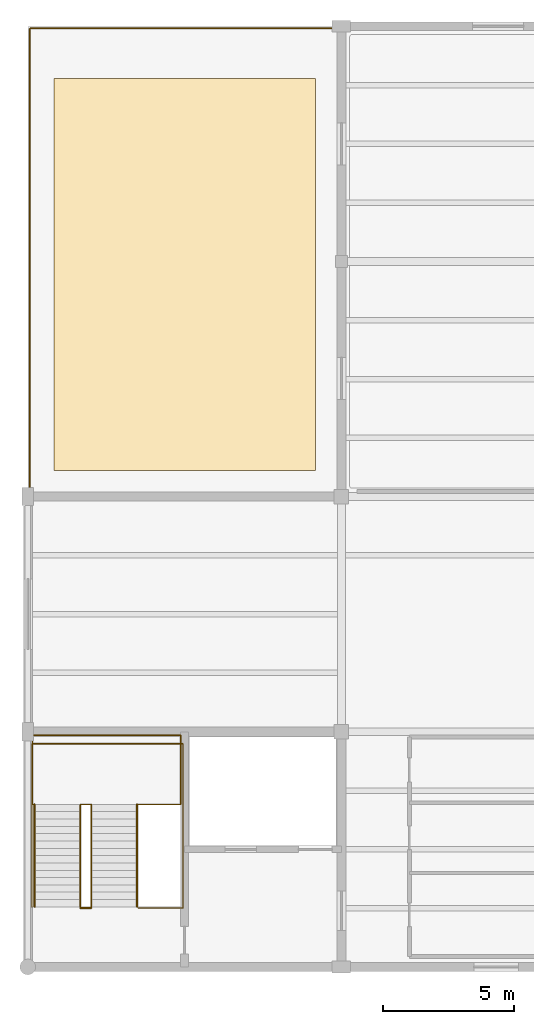
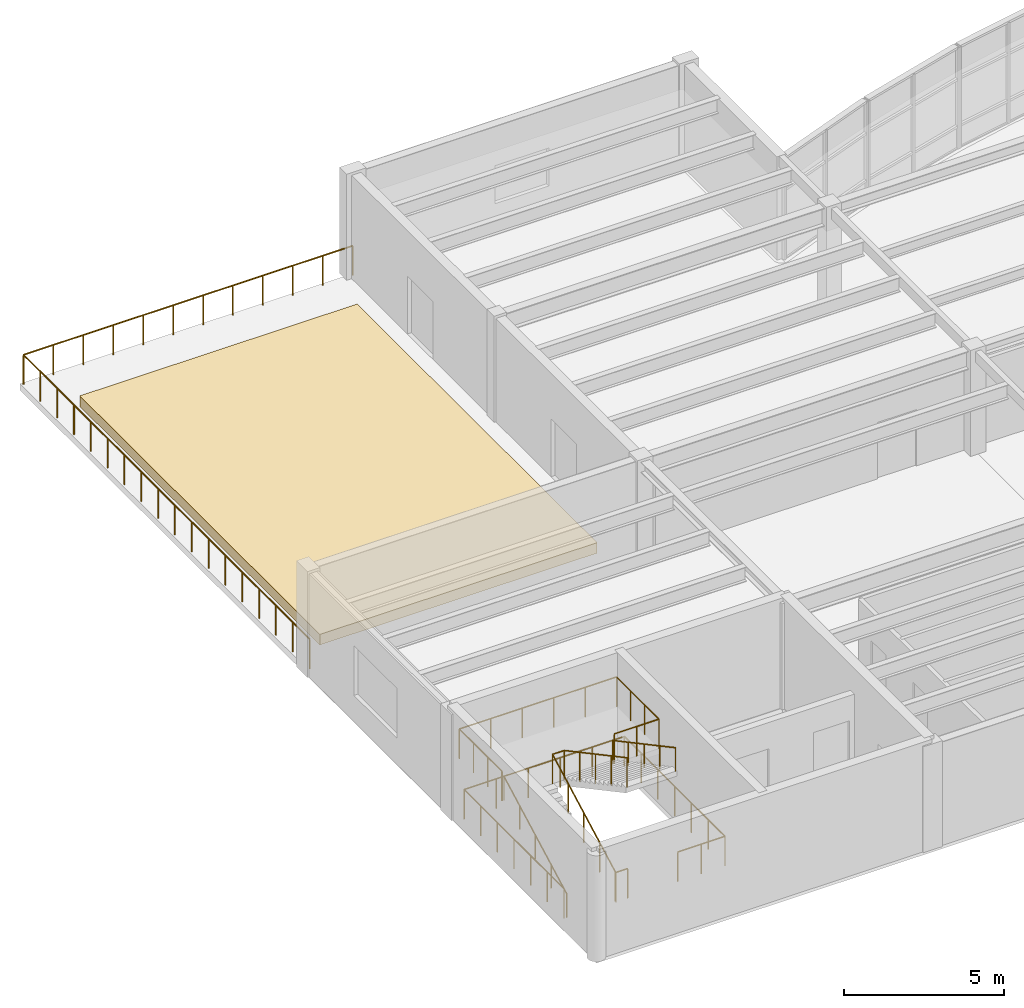
# One storey, part 10 of 12: 7 railings, 1 covering.
"""IFC4 building model written with IfcOpenShell, lengths in metres."""

from ifc_helpers import new_model, si_unit, direction, frame, origin, origin_2d, place, context, subcontext, project, spatial, polyline, circle, outline, extrude, material, layer, layer_set, type_object, element, save


model = new_model("IFC4")

# Units and contexts
model_context = context("Model", 3, precision=1e-05, world=origin(), true_north=direction((0.0, 1.0)))
body_context = subcontext(model_context, "Body", "Model", "MODEL_VIEW")
ifc_project = project(units=[si_unit("LENGTHUNIT", "METRE"), si_unit("AREAUNIT", "SQUARE_METRE"), si_unit("VOLUMEUNIT", "CUBIC_METRE"), si_unit("PLANEANGLEUNIT", "RADIAN"), si_unit("MASSUNIT", "GRAM", prefix="KILO")], contexts=[model_context])

# Site, building, storey
site_placement = place(None, origin())
site = spatial("IfcSite", under=ifc_project, at=site_placement, CompositionType="ELEMENT")
building_placement = place(site_placement, origin())
building = spatial("IfcBuilding", under=site, at=building_placement, Name="Keelwater Ferry Terminal", CompositionType="ELEMENT")
storey_placement = place(building_placement, frame((0.0, 0.0, 19.5)))
storey = spatial("IfcBuildingStorey", under=building, at=storey_placement, Name="L04", CompositionType="ELEMENT", Elevation=19.5)

# Railings
ifc_material_1 = material(Name="Marine stainless steel and laminated glass balustrade", Category="steel")
railing_type_1 = type_object("IfcRailingType", Name="BL-115 Waterfront Promenade Balustrade", PredefinedType="BALUSTRADE", material=ifc_material_1)
railing_1_placement = place(storey_placement, frame((108.080078125, 108.050048828125, 0.0)))
element("IfcRailing", 1, at=railing_1_placement, inside=storey, type_object=railing_type_1, Name="Belvedere Terrace Guard 6", PredefinedType="BALUSTRADE", context=body_context, shape_type="SweptSolid", body=[
    extrude(circle(Radius=0.02685546875, at=origin_2d()), frame((0.0, 0.0, 1.123046875), z_axis=(0.0, 1.0, 0.0), x_axis=(-1.0, 0.0, 0.0)), (0.0, 0.0, 1.0), 17.869873046875),
    extrude(circle(Radius=0.02685546875, at=origin_2d()), frame((0.0, 17.869873046875, 1.123046875), z_axis=(1.0, 0.0, 0.0), x_axis=(0.0, 1.0, 0.0)), (0.0, 0.0, 1.0), 11.869873046875),
    extrude(circle(Radius=0.02392578125, at=origin_2d()), origin(), (0.0, 0.0, 1.0), 1.095947265625),
    extrude(circle(Radius=0.02392578125, at=origin_2d()), frame((0.0, 1.05126953125, 0.0)), (0.0, 0.0, 1.0), 1.095947265625),
    extrude(circle(Radius=0.02392578125, at=origin_2d()), frame((0.0, 2.102294921875, 0.0)), (0.0, 0.0, 1.0), 1.095947265625),
    extrude(circle(Radius=0.02392578125, at=origin_2d()), frame((0.0, 3.153564453125, 0.0)), (0.0, 0.0, 1.0), 1.095947265625),
    extrude(circle(Radius=0.02392578125, at=origin_2d()), frame((0.0, 4.20458984375, 0.0)), (0.0, 0.0, 1.0), 1.095947265625),
    extrude(circle(Radius=0.02392578125, at=origin_2d()), frame((0.0, 5.255859375, 0.0)), (0.0, 0.0, 1.0), 1.095947265625),
    extrude(circle(Radius=0.02392578125, at=origin_2d()), frame((0.0, 6.30712890625, 0.0)), (0.0, 0.0, 1.0), 1.095947265625),
    extrude(circle(Radius=0.02392578125, at=origin_2d()), frame((0.0, 7.358154296875, 0.0)), (0.0, 0.0, 1.0), 1.095947265625),
    extrude(circle(Radius=0.02392578125, at=origin_2d()), frame((0.0, 8.409423828125, 0.0)), (0.0, 0.0, 1.0), 1.095947265625),
    extrude(circle(Radius=0.02392578125, at=origin_2d()), frame((0.0, 9.46044921875, 0.0)), (0.0, 0.0, 1.0), 1.095947265625),
    extrude(circle(Radius=0.02392578125, at=origin_2d()), frame((0.0, 10.51171875, 0.0)), (0.0, 0.0, 1.0), 1.095947265625),
    extrude(circle(Radius=0.02392578125, at=origin_2d()), frame((0.0, 11.562744140625, 0.0)), (0.0, 0.0, 1.0), 1.095947265625),
    extrude(circle(Radius=0.02392578125, at=origin_2d()), frame((0.0, 12.614013671875, 0.0)), (0.0, 0.0, 1.0), 1.095947265625),
    extrude(circle(Radius=0.02392578125, at=origin_2d()), frame((0.0, 13.665283203125, 0.0)), (0.0, 0.0, 1.0), 1.095947265625),
    extrude(circle(Radius=0.02392578125, at=origin_2d()), frame((0.0, 14.71630859375, 0.0)), (0.0, 0.0, 1.0), 1.095947265625),
    extrude(circle(Radius=0.02392578125, at=origin_2d()), frame((0.0, 15.767578125, 0.0)), (0.0, 0.0, 1.0), 1.095947265625),
    extrude(circle(Radius=0.02392578125, at=origin_2d()), frame((0.0, 16.818603515625, 0.0)), (0.0, 0.0, 1.0), 1.095947265625),
    extrude(circle(Radius=0.02392578125, at=origin_2d()), frame((0.0, 17.869873046875, 0.0)), (0.0, 0.0, 1.0), 1.095947265625),
    extrude(circle(Radius=0.02392578125, at=origin_2d()), frame((1.0791015625, 17.869873046875, 0.0)), (0.0, 0.0, 1.0), 1.095947265625),
    extrude(circle(Radius=0.02392578125, at=origin_2d()), frame((2.158203125, 17.869873046875, 0.0)), (0.0, 0.0, 1.0), 1.095947265625),
    extrude(circle(Radius=0.02392578125, at=origin_2d()), frame((3.2373046875, 17.869873046875, 0.0)), (0.0, 0.0, 1.0), 1.095947265625),
    extrude(circle(Radius=0.02392578125, at=origin_2d()), frame((4.31640625, 17.869873046875, 0.0)), (0.0, 0.0, 1.0), 1.095947265625),
    extrude(circle(Radius=0.02392578125, at=origin_2d()), frame((5.3955078125, 17.869873046875, 0.0)), (0.0, 0.0, 1.0), 1.095947265625),
    extrude(circle(Radius=0.02392578125, at=origin_2d()), frame((6.474365234375, 17.869873046875, 0.0)), (0.0, 0.0, 1.0), 1.095947265625),
    extrude(circle(Radius=0.02392578125, at=origin_2d()), frame((7.553466796875, 17.869873046875, 0.0)), (0.0, 0.0, 1.0), 1.095947265625),
    extrude(circle(Radius=0.02392578125, at=origin_2d()), frame((8.632568359375, 17.869873046875, 0.0)), (0.0, 0.0, 1.0), 1.095947265625),
    extrude(circle(Radius=0.02392578125, at=origin_2d()), frame((9.711669921875, 17.869873046875, 0.0)), (0.0, 0.0, 1.0), 1.095947265625),
    extrude(circle(Radius=0.02392578125, at=origin_2d()), frame((10.790771484375, 17.869873046875, 0.0)), (0.0, 0.0, 1.0), 1.095947265625),
    extrude(circle(Radius=0.02392578125, at=origin_2d()), frame((11.869873046875, 17.869873046875, 0.0)), (0.0, 0.0, 1.0), 1.095947265625),
])
ifc_material_2 = material(Name="Painted Steel S355", Category="steel")
railing_type_2 = type_object("IfcRailingType", Name="GR-115 Stair Well Guardrail", PredefinedType="GUARDRAIL", material=ifc_material_2)
railing_2_placement = place(storey_placement, frame((110.010009765625, 92.260009765625, 0.0)))
element("IfcRailing", 2, at=railing_2_placement, inside=storey, type_object=railing_type_2, Name="Stair ST-C2-L03 Slot Threshold Guard 34", PredefinedType="GUARDRAIL", context=body_context, shape_type="SweptSolid", body=[
    extrude(circle(Radius=0.02392578125, at=origin_2d()), frame((0.0, 0.0, 1.1259765625), z_axis=(1.0, 0.0, 0.0), x_axis=(0.0, 1.0, 0.0)), (0.0, 0.0, 1.0), 0.419921875),
    extrude(circle(Radius=0.02099609375, at=origin_2d()), origin(), (0.0, 0.0, 1.0), 1.101806640625),
    extrude(circle(Radius=0.02099609375, at=origin_2d()), frame((0.419921875, 0.0, 0.0)), (0.0, 0.0, 1.0), 1.101806640625),
])
railing_3_placement = place(storey_placement, frame((108.159912109375, 92.300048828125, 0.0)))
element("IfcRailing", 3, at=railing_3_placement, inside=storey, type_object=railing_type_2, Name="Stair ST-C2-L03 Shaft Perimeter Guard 35", PredefinedType="GUARDRAIL", context=body_context, shape_type="SweptSolid", body=[
    extrude(circle(Radius=0.02392578125, at=origin_2d()), frame((0.0, 0.0, 1.1259765625), z_axis=(0.0, 1.0, 0.0), x_axis=(-1.0, 0.0, 0.0)), (0.0, 0.0, 1.0), 6.239990234375),
    extrude(circle(Radius=0.02392578125, at=origin_2d()), frame((0.0, 6.239990234375, 1.1259765625), z_axis=(1.0, 0.0, 0.0), x_axis=(0.0, 1.0, 0.0)), (0.0, 0.0, 1.0), 5.780029296875),
    extrude(circle(Radius=0.02392578125, at=origin_2d()), frame((5.780029296875, 6.239990234375, 1.1259765625), z_axis=(0.0, -1.0, 0.0), x_axis=(1.0, 0.0, 0.0)), (0.0, 0.0, 1.0), 6.280029296875),
    extrude(circle(Radius=0.02392578125, at=origin_2d()), frame((5.780029296875, -0.0400390625, 1.1259765625), z_axis=(-1.0, 0.0, 0.0), x_axis=(0.0, -1.0, 0.0)), (0.0, 0.0, 1.0), 1.699951171875),
    extrude(circle(Radius=0.02099609375, at=origin_2d()), origin(), (0.0, 0.0, 1.0), 1.101806640625),
    extrude(circle(Radius=0.02099609375, at=origin_2d()), frame((0.0, 1.0400390625, 0.0)), (0.0, 0.0, 1.0), 1.101806640625),
    extrude(circle(Radius=0.02099609375, at=origin_2d()), frame((0.0, 2.080078125, 0.0)), (0.0, 0.0, 1.0), 1.101806640625),
    extrude(circle(Radius=0.02099609375, at=origin_2d()), frame((0.0, 3.1201171875, 0.0)), (0.0, 0.0, 1.0), 1.101806640625),
    extrude(circle(Radius=0.02099609375, at=origin_2d()), frame((0.0, 4.159912109375, 0.0)), (0.0, 0.0, 1.0), 1.101806640625),
    extrude(circle(Radius=0.02099609375, at=origin_2d()), frame((0.0, 5.199951171875, 0.0)), (0.0, 0.0, 1.0), 1.101806640625),
    extrude(circle(Radius=0.02099609375, at=origin_2d()), frame((0.0, 6.239990234375, 0.0)), (0.0, 0.0, 1.0), 1.101806640625),
    extrude(circle(Radius=0.02099609375, at=origin_2d()), frame((1.156005859375, 6.239990234375, 0.0)), (0.0, 0.0, 1.0), 1.101806640625),
    extrude(circle(Radius=0.02099609375, at=origin_2d()), frame((2.31201171875, 6.239990234375, 0.0)), (0.0, 0.0, 1.0), 1.101806640625),
    extrude(circle(Radius=0.02099609375, at=origin_2d()), frame((3.468017578125, 6.239990234375, 0.0)), (0.0, 0.0, 1.0), 1.101806640625),
    extrude(circle(Radius=0.02099609375, at=origin_2d()), frame((4.6240234375, 6.239990234375, 0.0)), (0.0, 0.0, 1.0), 1.101806640625),
    extrude(circle(Radius=0.02099609375, at=origin_2d()), frame((5.780029296875, 6.239990234375, 0.0)), (0.0, 0.0, 1.0), 1.101806640625),
    extrude(circle(Radius=0.02099609375, at=origin_2d()), frame((5.780029296875, 5.193359375, 0.0)), (0.0, 0.0, 1.0), 1.101806640625),
    extrude(circle(Radius=0.02099609375, at=origin_2d()), frame((5.780029296875, 4.146728515625, 0.0)), (0.0, 0.0, 1.0), 1.101806640625),
    extrude(circle(Radius=0.02099609375, at=origin_2d()), frame((5.780029296875, 3.10009765625, 0.0)), (0.0, 0.0, 1.0), 1.101806640625),
    extrude(circle(Radius=0.02099609375, at=origin_2d()), frame((5.780029296875, 2.05322265625, 0.0)), (0.0, 0.0, 1.0), 1.101806640625),
    extrude(circle(Radius=0.02099609375, at=origin_2d()), frame((5.780029296875, 1.006591796875, 0.0)), (0.0, 0.0, 1.0), 1.101806640625),
    extrude(circle(Radius=0.02099609375, at=origin_2d()), frame((5.780029296875, -0.0400390625, 0.0)), (0.0, 0.0, 1.0), 1.101806640625),
    extrude(circle(Radius=0.02099609375, at=origin_2d()), frame((4.93017578125, -0.0400390625, 0.0)), (0.0, 0.0, 1.0), 1.101806640625),
    extrude(circle(Radius=0.02099609375, at=origin_2d()), frame((4.080078125, -0.0400390625, 0.0)), (0.0, 0.0, 1.0), 1.101806640625),
])
railing_4_placement = place(storey_placement, frame((110.010009765625, 92.300048828125, 0.0)))
element("IfcRailing", 4, at=railing_4_placement, inside=storey, type_object=railing_type_2, Name="Stair ST-C2-L04 Inner Well Guard 36", PredefinedType="GUARDRAIL", context=body_context, shape_type="SweptSolid", body=[
    extrude(circle(Radius=0.02392578125, at=origin_2d()), frame((0.0, 0.0, 1.1259765625), z_axis=(0.0, 0.881466911329, 0.472245787945), x_axis=(-1.0, 0.0, 0.0)), (0.0, 0.0, 1.0), 4.447021484375),
    extrude(circle(Radius=0.02392578125, at=origin_2d()), frame((0.0, 3.919921875, 3.22607421875), z_axis=(1.0, 0.0, 0.0), x_axis=(0.0, 1.0, 0.0)), (0.0, 0.0, 1.0), 0.419921875),
    extrude(circle(Radius=0.02392578125, at=origin_2d()), frame((0.419921875, 3.919921875, 3.22607421875), z_axis=(0.0, -0.881489763865, 0.472203130232), x_axis=(1.0, 0.0, 0.0)), (0.0, 0.0, 1.0), 4.447021484375),
    extrude(circle(Radius=0.02099609375, at=origin_2d()), origin(), (0.0, 0.0, 1.0), 1.101806640625),
    extrude(circle(Radius=0.02099609375, at=origin_2d()), frame((0.0, 0.97998046875, 0.52490234375)), (0.0, 0.0, 1.0), 1.101806640625),
    extrude(circle(Radius=0.02099609375, at=origin_2d()), frame((0.0, 1.9599609375, 1.050048828125)), (0.0, 0.0, 1.0), 1.101806640625),
    extrude(circle(Radius=0.02099609375, at=origin_2d()), frame((0.0, 2.93994140625, 1.5751953125)), (0.0, 0.0, 1.0), 1.101806640625),
    extrude(circle(Radius=0.02099609375, at=origin_2d()), frame((0.0, 3.919921875, 2.10009765625)), (0.0, 0.0, 1.0), 1.101806640625),
    extrude(circle(Radius=0.02099609375, at=origin_2d()), frame((0.419921875, 3.919921875, 2.10009765625)), (0.0, 0.0, 1.0), 1.101806640625),
    extrude(circle(Radius=0.02099609375, at=origin_2d()), frame((0.419921875, 2.93994140625, 2.625)), (0.0, 0.0, 1.0), 1.101806640625),
    extrude(circle(Radius=0.02099609375, at=origin_2d()), frame((0.419921875, 1.9599609375, 3.14990234375)), (0.0, 0.0, 1.0), 1.101806640625),
    extrude(circle(Radius=0.02099609375, at=origin_2d()), frame((0.419921875, 0.97998046875, 3.675048828125)), (0.0, 0.0, 1.0), 1.101806640625),
    extrude(circle(Radius=0.02099609375, at=origin_2d()), frame((0.419921875, 0.0, 4.199951171875)), (0.0, 0.0, 1.0), 1.101806640625),
])
railing_5_placement = place(storey_placement, frame((108.199951171875, 96.219970703125, 2.10009765625)))
element("IfcRailing", 5, at=railing_5_placement, inside=storey, type_object=railing_type_2, Name="Stair ST-C2-L04 Half-Landing Guard 37", PredefinedType="GUARDRAIL", context=body_context, shape_type="SweptSolid", body=[
    extrude(circle(Radius=0.02392578125, at=origin_2d()), frame((0.0, 0.0, 1.1259765625), z_axis=(-1.0, 0.0, 0.0), x_axis=(0.0, -1.0, 0.0)), (0.0, 0.0, 1.0), 0.02001953125),
    extrude(circle(Radius=0.02392578125, at=origin_2d()), frame((-0.02001953125, 0.0, 1.1259765625), z_axis=(0.0, 1.0, 0.0), x_axis=(-1.0, 0.0, 0.0)), (0.0, 0.0, 1.0), 2.650146484375),
    extrude(circle(Radius=0.02392578125, at=origin_2d()), frame((-0.02001953125, 2.650146484375, 1.1259765625), z_axis=(1.0, 0.0, 0.0), x_axis=(0.0, 1.0, 0.0)), (0.0, 0.0, 1.0), 5.670166015625),
    extrude(circle(Radius=0.02392578125, at=origin_2d()), frame((5.650146484375, 2.650146484375, 1.1259765625), z_axis=(0.0, -1.0, 0.0), x_axis=(1.0, 0.0, 0.0)), (0.0, 0.0, 1.0), 2.650146484375),
    extrude(circle(Radius=0.02392578125, at=origin_2d()), frame((5.650146484375, 0.0, 1.1259765625), z_axis=(-1.0, 0.0, 0.0), x_axis=(0.0, -1.0, 0.0)), (0.0, 0.0, 1.0), 1.610107421875),
    extrude(circle(Radius=0.02099609375, at=origin_2d()), origin(), (0.0, 0.0, 1.0), 1.101806640625),
    extrude(circle(Radius=0.02099609375, at=origin_2d()), frame((-0.02001953125, 0.0, 0.0)), (0.0, 0.0, 1.0), 1.101806640625),
    extrude(circle(Radius=0.02099609375, at=origin_2d()), frame((-0.02001953125, 0.88330078125, 0.0)), (0.0, 0.0, 1.0), 1.101806640625),
    extrude(circle(Radius=0.02099609375, at=origin_2d()), frame((-0.02001953125, 1.766845703125, 0.0)), (0.0, 0.0, 1.0), 1.101806640625),
    extrude(circle(Radius=0.02099609375, at=origin_2d()), frame((-0.02001953125, 2.650146484375, 0.0)), (0.0, 0.0, 1.0), 1.101806640625),
    extrude(circle(Radius=0.02099609375, at=origin_2d()), frame((1.114013671875, 2.650146484375, 0.0)), (0.0, 0.0, 1.0), 1.101806640625),
    extrude(circle(Radius=0.02099609375, at=origin_2d()), frame((2.248046875, 2.650146484375, 0.0)), (0.0, 0.0, 1.0), 1.101806640625),
    extrude(circle(Radius=0.02099609375, at=origin_2d()), frame((3.382080078125, 2.650146484375, 0.0)), (0.0, 0.0, 1.0), 1.101806640625),
    extrude(circle(Radius=0.02099609375, at=origin_2d()), frame((4.51611328125, 2.650146484375, 0.0)), (0.0, 0.0, 1.0), 1.101806640625),
    extrude(circle(Radius=0.02099609375, at=origin_2d()), frame((5.650146484375, 2.650146484375, 0.0)), (0.0, 0.0, 1.0), 1.101806640625),
    extrude(circle(Radius=0.02099609375, at=origin_2d()), frame((5.650146484375, 1.766845703125, 0.0)), (0.0, 0.0, 1.0), 1.101806640625),
    extrude(circle(Radius=0.02099609375, at=origin_2d()), frame((5.650146484375, 0.88330078125, 0.0)), (0.0, 0.0, 1.0), 1.101806640625),
    extrude(circle(Radius=0.02099609375, at=origin_2d()), frame((5.650146484375, 0.0, 0.0)), (0.0, 0.0, 1.0), 1.101806640625),
    extrude(circle(Radius=0.02099609375, at=origin_2d()), frame((4.84521484375, 0.0, 0.0)), (0.0, 0.0, 1.0), 1.101806640625),
    extrude(circle(Radius=0.02099609375, at=origin_2d()), frame((4.0400390625, 0.0, 0.0)), (0.0, 0.0, 1.0), 1.101806640625),
])

# Covering
ifc_material_3 = material(Name="Planted sedum green roof substrate", Category="earth")
ifc_layer = layer(ifc_material_3, 0.39990234375)
ifc_layer_set = layer_set([ifc_layer], Name="Planted sedum green roof substrate")
covering_type = type_object("IfcCoveringType", Name="GR-BED Planted Green Roof Bed", PredefinedType="ROOFING", material=ifc_layer_set)
covering_placement = place(storey_placement, origin())
element("IfcCovering", 6, at=covering_placement, inside=storey, type_object=covering_type, Name="Planted Green Roof Bed 6", PredefinedType="ROOFING", context=body_context, shape_type="SweptSolid", body=[
    extrude(outline(polyline([(109.0, 109.0), (119.0, 109.0), (119.0, 124.0), (109.0, 124.0), (109.0, 109.0)])), origin(), (0.0, 0.0, 1.0), 0.39990234375),
])

# Railings
ifc_material_4 = material(Name="Brushed stainless steel handrail", Category="steel")
railing_type_3 = type_object("IfcRailingType", Name="HR-920 Stair Pitch Handrail", PredefinedType="HANDRAIL", material=ifc_material_4)
railing_6_placement = place(storey_placement, frame((108.260009765625, 92.300048828125, 0.0)))
element("IfcRailing", 7, at=railing_6_placement, inside=storey, type_object=railing_type_3, Name="Stair ST-C2-L04 Flight 1 Handrail 38", PredefinedType="HANDRAIL", context=body_context, shape_type="SweptSolid", body=[
    extrude(circle(Radius=0.02392578125, at=origin_2d()), frame((0.0, 0.0, 0.89599609375), z_axis=(0.0, 0.881466911329, 0.472245787945), x_axis=(-1.0, 0.0, 0.0)), (0.0, 0.0, 1.0), 4.447021484375),
    extrude(circle(Radius=0.02099609375, at=origin_2d()), origin(), (0.0, 0.0, 1.0), 0.871826171875),
    extrude(circle(Radius=0.02099609375, at=origin_2d()), frame((0.0, 0.97998046875, 0.52490234375)), (0.0, 0.0, 1.0), 0.871826171875),
    extrude(circle(Radius=0.02099609375, at=origin_2d()), frame((0.0, 1.9599609375, 1.050048828125)), (0.0, 0.0, 1.0), 0.871826171875),
    extrude(circle(Radius=0.02099609375, at=origin_2d()), frame((0.0, 2.93994140625, 1.5751953125)), (0.0, 0.0, 1.0), 0.871826171875),
    extrude(circle(Radius=0.02099609375, at=origin_2d()), frame((0.0, 3.919921875, 2.10009765625)), (0.0, 0.0, 1.0), 0.871826171875),
])
railing_7_placement = place(storey_placement, frame((112.179931640625, 96.219970703125, 2.10009765625)))
element("IfcRailing", 8, at=railing_7_placement, inside=storey, type_object=railing_type_3, Name="Stair ST-C2-L04 Flight 2 Handrail 39", PredefinedType="HANDRAIL", context=body_context, shape_type="SweptSolid", body=[
    extrude(circle(Radius=0.02392578125, at=origin_2d()), frame((0.0, 0.0, 0.89599609375), z_axis=(0.0, -0.881489763865, 0.472203130232), x_axis=(1.0, 0.0, 0.0)), (0.0, 0.0, 1.0), 4.447021484375),
    extrude(circle(Radius=0.02099609375, at=origin_2d()), origin(), (0.0, 0.0, 1.0), 0.871826171875),
    extrude(circle(Radius=0.02099609375, at=origin_2d()), frame((0.0, -0.97998046875, 0.52490234375)), (0.0, 0.0, 1.0), 0.871826171875),
    extrude(circle(Radius=0.02099609375, at=origin_2d()), frame((0.0, -1.9599609375, 1.0498046875)), (0.0, 0.0, 1.0), 0.871826171875),
    extrude(circle(Radius=0.02099609375, at=origin_2d()), frame((0.0, -2.93994140625, 1.574951171875)), (0.0, 0.0, 1.0), 0.871826171875),
    extrude(circle(Radius=0.02099609375, at=origin_2d()), frame((0.0, -3.919921875, 2.099853515625)), (0.0, 0.0, 1.0), 0.871826171875),
])

save(model, "model.ifc")
